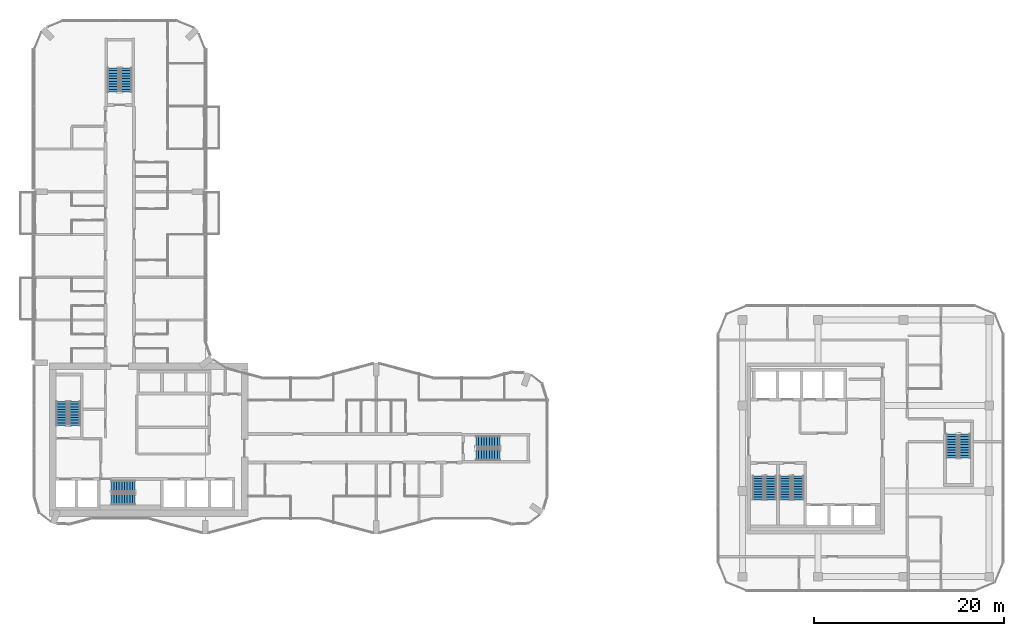
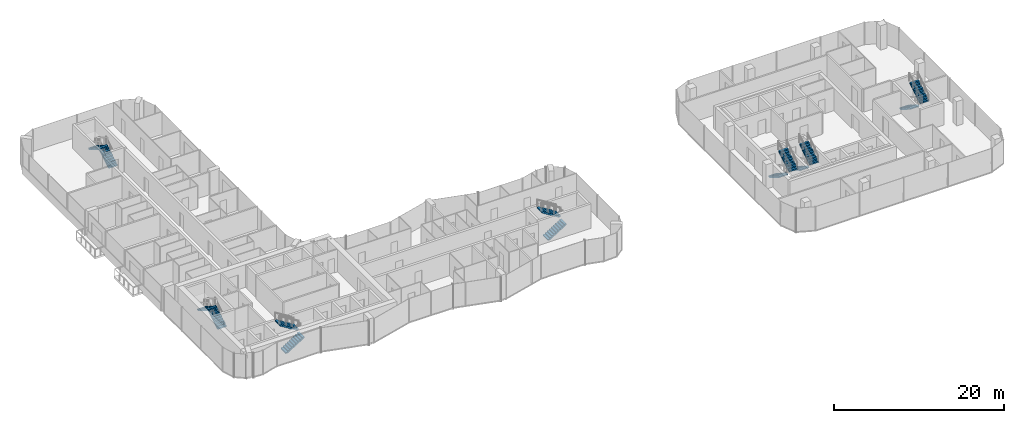
# One storey, part 20 of 23: 14 stair flights, 7 elements without a shape of their own.
"""IFC4 building model written with IfcOpenShell, lengths in metres."""

from ifc_helpers import new_model, si_unit, direction, frame, origin, place, context, subcontext, project, spatial, polyline, outline, extrude, material, type_object, element, aggregate, save


model = new_model("IFC4")

# Units and contexts
model_context = context("Model", 3, precision=1e-05, world=origin(), true_north=direction((0.0, 1.0)))
body_context = subcontext(model_context, "Body", "Model", "MODEL_VIEW")
ifc_project = project(units=[si_unit("LENGTHUNIT", "METRE"), si_unit("AREAUNIT", "SQUARE_METRE"), si_unit("VOLUMEUNIT", "CUBIC_METRE"), si_unit("PLANEANGLEUNIT", "RADIAN"), si_unit("MASSUNIT", "GRAM", prefix="KILO")], contexts=[model_context])

# Site, building, storey
site_placement = place(None, origin())
site = spatial("IfcSite", under=ifc_project, at=site_placement, CompositionType="ELEMENT")
building_placement = place(site_placement, origin())
building = spatial("IfcBuilding", under=site, at=building_placement, Name="Plateau Cross Towers", CompositionType="ELEMENT")
storey_placement = place(building_placement, frame((0.0, 0.0, 92.300048828125)))
storey = spatial("IfcBuildingStorey", under=building, at=storey_placement, Name="L23", CompositionType="ELEMENT", Elevation=92.300048828125)

# Stair, stair flights
ifc_material = material(Name="Concrete C40/50", Category="concrete")
stair_type = type_object("IfcStairType", Name="ST-TWR", PredefinedType="HALF_TURN_STAIR", material=ifc_material)
stair_1_placement = place(storey_placement, origin())
stair_1 = element("IfcStair", 1, at=stair_1_placement, inside=storey, type_object=stair_type, Name="L23 Protected Exit Stair ST-1", PredefinedType="HALF_TURN_STAIR")
stair_flight_type = type_object("IfcStairFlightType", Name="SFL-RC", PredefinedType="STRAIGHT", material=ifc_material)
stair_flight_1_placement = place(storey_placement, frame((4.25, 11.39990234375, 0.0), z_axis=(0.0, 0.0, 1.0), x_axis=(0.0, 1.0, 0.0)))
stair_flight_1 = element("IfcStairFlight", 2, at=stair_flight_1_placement, type_object=stair_flight_type, Name="ST-1 flight 1", NumberOfRisers=10, NumberOfTreads=9, PredefinedType="STRAIGHT", RiserHeight=0.175, TreadLength=0.28, context=body_context, shape_type="SweptSolid", body=[
    extrude(outline(polyline([(-0.0048828125, -0.010009765625), (-0.0048828125, 0.0), (0.0, 0.0), (0.0, 0.175048828125), (0.280029296875, 0.175048828125), (0.280029296875, 0.35009765625), (0.56005859375, 0.35009765625), (0.56005859375, 0.52490234375), (0.840087890625, 0.52490234375), (0.840087890625, 0.699951171875), (1.1201171875, 0.699951171875), (1.1201171875, 0.875), (1.39990234375, 0.875), (1.39990234375, 1.050048828125), (1.679931640625, 1.050048828125), (1.679931640625, 1.22509765625), (1.9599609375, 1.22509765625), (1.9599609375, 1.39990234375), (2.239990234375, 1.39990234375), (2.239990234375, 1.574951171875), (2.52001953125, 1.574951171875), (2.52490234375, 1.56494140625), (2.52490234375, 1.398193359375), (2.52001953125, 1.398193359375), (0.28271484375, 0.0), (0.02001953125, 0.0), (0.02001953125, -0.010009765625), (-0.0048828125, -0.010009765625)])), frame((0.0, 0.60009765625, 0.0), z_axis=(0.0, -1.0, 0.0), x_axis=(1.0, 0.0, 0.0)), (0.0, 0.0, 1.0), 1.199951171875),
])
stair_flight_2_placement = place(storey_placement, frame((2.89990234375, 13.919921875, 1.75), z_axis=(0.0, 0.0, 1.0), x_axis=(0.0, -1.0, 0.0)))
stair_flight_2 = element("IfcStairFlight", 3, at=stair_flight_2_placement, type_object=stair_flight_type, Name="ST-1 flight 2", NumberOfRisers=10, NumberOfTreads=9, PredefinedType="STRAIGHT", RiserHeight=0.175, TreadLength=0.28, context=body_context, shape_type="SweptSolid", body=[
    extrude(outline(polyline([(-0.0048828125, -0.010009765625), (-0.0048828125, 0.0), (0.0, 0.0), (0.0, 0.175048828125), (0.280029296875, 0.175048828125), (0.280029296875, 0.35009765625), (0.56005859375, 0.35009765625), (0.56005859375, 0.52490234375), (0.840087890625, 0.52490234375), (0.840087890625, 0.699951171875), (1.1201171875, 0.699951171875), (1.1201171875, 0.875), (1.39990234375, 0.875), (1.39990234375, 1.050048828125), (1.679931640625, 1.050048828125), (1.679931640625, 1.22509765625), (1.9599609375, 1.22509765625), (1.9599609375, 1.39990234375), (2.239990234375, 1.39990234375), (2.239990234375, 1.574951171875), (2.52001953125, 1.574951171875), (2.52490234375, 1.56494140625), (2.52490234375, 1.398193359375), (2.52001953125, 1.398193359375), (0.28271484375, 0.0), (0.02001953125, 0.0), (0.02001953125, -0.010009765625), (-0.0048828125, -0.010009765625)])), frame((0.0, 0.60009765625, 0.0), z_axis=(0.0, -1.0, 0.0), x_axis=(1.0, 0.0, 0.0)), (0.0, 0.0, 1.0), 1.199951171875),
])
aggregate(stair_1, [stair_flight_1, stair_flight_2])

stair_2_placement = place(storey_placement, origin())
stair_2 = element("IfcStair", 4, at=stair_2_placement, inside=storey, type_object=stair_type, Name="L23 Protected Exit Stair ST-2", PredefinedType="HALF_TURN_STAIR")
stair_flight_3_placement = place(storey_placement, frame((8.10009765625, 3.64990234375, 0.0), z_axis=(0.0, 0.0, 1.0), x_axis=(1.0, 0.0, 0.0)))
stair_flight_3 = element("IfcStairFlight", 5, at=stair_flight_3_placement, type_object=stair_flight_type, Name="ST-2 flight 1", NumberOfRisers=10, NumberOfTreads=9, PredefinedType="STRAIGHT", RiserHeight=0.175, TreadLength=0.28, context=body_context, shape_type="SweptSolid", body=[
    extrude(outline(polyline([(-0.0048828125, -0.010009765625), (-0.0048828125, 0.0), (0.0, 0.0), (0.0, 0.175048828125), (0.280029296875, 0.175048828125), (0.280029296875, 0.35009765625), (0.56005859375, 0.35009765625), (0.56005859375, 0.52490234375), (0.840087890625, 0.52490234375), (0.840087890625, 0.699951171875), (1.1201171875, 0.699951171875), (1.1201171875, 0.875), (1.39990234375, 0.875), (1.39990234375, 1.050048828125), (1.679931640625, 1.050048828125), (1.679931640625, 1.22509765625), (1.9599609375, 1.22509765625), (1.9599609375, 1.39990234375), (2.239990234375, 1.39990234375), (2.239990234375, 1.574951171875), (2.52001953125, 1.574951171875), (2.52490234375, 1.56494140625), (2.52490234375, 1.398193359375), (2.52001953125, 1.398193359375), (0.28271484375, 0.0), (0.02001953125, 0.0), (0.02001953125, -0.010009765625), (-0.0048828125, -0.010009765625)])), frame((0.0, 0.60009765625, 0.0), z_axis=(0.0, -1.0, 0.0), x_axis=(1.0, 0.0, 0.0)), (0.0, 0.0, 1.0), 1.199951171875),
])
stair_flight_4_placement = place(storey_placement, frame((10.6201171875, 5.0, 1.75), z_axis=(0.0, 0.0, 1.0), x_axis=(-1.0, 0.0, 0.0)))
stair_flight_4 = element("IfcStairFlight", 6, at=stair_flight_4_placement, type_object=stair_flight_type, Name="ST-2 flight 2", NumberOfRisers=10, NumberOfTreads=9, PredefinedType="STRAIGHT", RiserHeight=0.175, TreadLength=0.28, context=body_context, shape_type="SweptSolid", body=[
    extrude(outline(polyline([(-0.0048828125, -0.010009765625), (-0.0048828125, 0.0), (0.0, 0.0), (0.0, 0.175048828125), (0.280029296875, 0.175048828125), (0.280029296875, 0.35009765625), (0.56005859375, 0.35009765625), (0.56005859375, 0.52490234375), (0.840087890625, 0.52490234375), (0.840087890625, 0.699951171875), (1.1201171875, 0.699951171875), (1.1201171875, 0.875), (1.39990234375, 0.875), (1.39990234375, 1.050048828125), (1.679931640625, 1.050048828125), (1.679931640625, 1.22509765625), (1.9599609375, 1.22509765625), (1.9599609375, 1.39990234375), (2.239990234375, 1.39990234375), (2.239990234375, 1.574951171875), (2.52001953125, 1.574951171875), (2.52490234375, 1.56494140625), (2.52490234375, 1.398193359375), (2.52001953125, 1.398193359375), (0.28271484375, 0.0), (0.02001953125, 0.0), (0.02001953125, -0.010009765625), (-0.0048828125, -0.010009765625)])), frame((0.0, 0.60009765625, 0.0), z_axis=(0.0, -1.0, 0.0), x_axis=(1.0, 0.0, 0.0)), (0.0, 0.0, 1.0), 1.199951171875),
])
aggregate(stair_2, [stair_flight_3, stair_flight_4])

stair_3_placement = place(storey_placement, origin())
stair_3 = element("IfcStair", 7, at=stair_3_placement, inside=storey, type_object=stair_type, Name="L23 Protected Exit Stair SB-1", PredefinedType="HALF_TURN_STAIR")
stair_flight_5_placement = place(storey_placement, frame((76.199951171875, 6.10009765625, 0.0), z_axis=(0.0, 0.0, 1.0), x_axis=(0.0, -1.0, 0.0)))
stair_flight_5 = element("IfcStairFlight", 8, at=stair_flight_5_placement, type_object=stair_flight_type, Name="SB-1 flight 1", NumberOfRisers=10, NumberOfTreads=9, PredefinedType="STRAIGHT", RiserHeight=0.175, TreadLength=0.28, context=body_context, shape_type="SweptSolid", body=[
    extrude(outline(polyline([(-0.0048828125, -0.010009765625), (-0.0048828125, 0.0), (0.0, 0.0), (0.0, 0.175048828125), (0.280029296875, 0.175048828125), (0.280029296875, 0.35009765625), (0.56005859375, 0.35009765625), (0.56005859375, 0.52490234375), (0.840087890625, 0.52490234375), (0.840087890625, 0.699951171875), (1.1201171875, 0.699951171875), (1.1201171875, 0.875), (1.39990234375, 0.875), (1.39990234375, 1.050048828125), (1.679931640625, 1.050048828125), (1.679931640625, 1.22509765625), (1.9599609375, 1.22509765625), (1.9599609375, 1.39990234375), (2.239990234375, 1.39990234375), (2.239990234375, 1.574951171875), (2.52001953125, 1.574951171875), (2.52490234375, 1.56494140625), (2.52490234375, 1.398193359375), (2.52001953125, 1.398193359375), (0.28271484375, 0.0), (0.02001953125, 0.0), (0.02001953125, -0.010009765625), (-0.0048828125, -0.010009765625)])), frame((0.0, 0.60009765625, 0.0), z_axis=(0.0, -1.0, 0.0), x_axis=(1.0, 0.0, 0.0)), (0.0, 0.0, 1.0), 1.199951171875),
])
stair_flight_6_placement = place(storey_placement, frame((77.550048828125, 3.580078125, 1.75), z_axis=(0.0, 0.0, 1.0), x_axis=(0.0, 1.0, 0.0)))
stair_flight_6 = element("IfcStairFlight", 9, at=stair_flight_6_placement, type_object=stair_flight_type, Name="SB-1 flight 2", NumberOfRisers=10, NumberOfTreads=9, PredefinedType="STRAIGHT", RiserHeight=0.175, TreadLength=0.28, context=body_context, shape_type="SweptSolid", body=[
    extrude(outline(polyline([(-0.0048828125, -0.010009765625), (-0.0048828125, 0.0), (0.0, 0.0), (0.0, 0.175048828125), (0.280029296875, 0.175048828125), (0.280029296875, 0.35009765625), (0.56005859375, 0.35009765625), (0.56005859375, 0.52490234375), (0.840087890625, 0.52490234375), (0.840087890625, 0.699951171875), (1.1201171875, 0.699951171875), (1.1201171875, 0.875), (1.39990234375, 0.875), (1.39990234375, 1.050048828125), (1.679931640625, 1.050048828125), (1.679931640625, 1.22509765625), (1.9599609375, 1.22509765625), (1.9599609375, 1.39990234375), (2.239990234375, 1.39990234375), (2.239990234375, 1.574951171875), (2.52001953125, 1.574951171875), (2.52490234375, 1.56494140625), (2.52490234375, 1.398193359375), (2.52001953125, 1.398193359375), (0.28271484375, 0.0), (0.02001953125, 0.0), (0.02001953125, -0.010009765625), (-0.0048828125, -0.010009765625)])), frame((0.0, 0.60009765625, 0.0), z_axis=(0.0, -1.0, 0.0), x_axis=(1.0, 0.0, 0.0)), (0.0, 0.0, 1.0), 1.199951171875),
])
aggregate(stair_3, [stair_flight_5, stair_flight_6])

stair_4_placement = place(storey_placement, origin())
stair_4 = element("IfcStair", 10, at=stair_4_placement, inside=storey, type_object=stair_type, Name="L23 Protected Exit Stair SB-2", PredefinedType="HALF_TURN_STAIR")
stair_flight_7_placement = place(storey_placement, frame((79.050048828125, 6.10009765625, 0.0), z_axis=(0.0, 0.0, 1.0), x_axis=(0.0, -1.0, 0.0)))
stair_flight_7 = element("IfcStairFlight", 11, at=stair_flight_7_placement, type_object=stair_flight_type, Name="SB-2 flight 1", NumberOfRisers=10, NumberOfTreads=9, PredefinedType="STRAIGHT", RiserHeight=0.175, TreadLength=0.28, context=body_context, shape_type="SweptSolid", body=[
    extrude(outline(polyline([(-0.0048828125, -0.010009765625), (-0.0048828125, 0.0), (0.0, 0.0), (0.0, 0.175048828125), (0.280029296875, 0.175048828125), (0.280029296875, 0.35009765625), (0.56005859375, 0.35009765625), (0.56005859375, 0.52490234375), (0.840087890625, 0.52490234375), (0.840087890625, 0.699951171875), (1.1201171875, 0.699951171875), (1.1201171875, 0.875), (1.39990234375, 0.875), (1.39990234375, 1.050048828125), (1.679931640625, 1.050048828125), (1.679931640625, 1.22509765625), (1.9599609375, 1.22509765625), (1.9599609375, 1.39990234375), (2.239990234375, 1.39990234375), (2.239990234375, 1.574951171875), (2.52001953125, 1.574951171875), (2.52490234375, 1.56494140625), (2.52490234375, 1.398193359375), (2.52001953125, 1.398193359375), (0.28271484375, 0.0), (0.02001953125, 0.0), (0.02001953125, -0.010009765625), (-0.0048828125, -0.010009765625)])), frame((0.0, 0.60009765625, 0.0), z_axis=(0.0, -1.0, 0.0), x_axis=(1.0, 0.0, 0.0)), (0.0, 0.0, 1.0), 1.199951171875),
])
stair_flight_8_placement = place(storey_placement, frame((80.39990234375, 3.580078125, 1.75), z_axis=(0.0, 0.0, 1.0), x_axis=(0.0, 1.0, 0.0)))
stair_flight_8 = element("IfcStairFlight", 12, at=stair_flight_8_placement, type_object=stair_flight_type, Name="SB-2 flight 2", NumberOfRisers=10, NumberOfTreads=9, PredefinedType="STRAIGHT", RiserHeight=0.175, TreadLength=0.28, context=body_context, shape_type="SweptSolid", body=[
    extrude(outline(polyline([(-0.0048828125, -0.010009765625), (-0.0048828125, 0.0), (0.0, 0.0), (0.0, 0.175048828125), (0.280029296875, 0.175048828125), (0.280029296875, 0.35009765625), (0.56005859375, 0.35009765625), (0.56005859375, 0.52490234375), (0.840087890625, 0.52490234375), (0.840087890625, 0.699951171875), (1.1201171875, 0.699951171875), (1.1201171875, 0.875), (1.39990234375, 0.875), (1.39990234375, 1.050048828125), (1.679931640625, 1.050048828125), (1.679931640625, 1.22509765625), (1.9599609375, 1.22509765625), (1.9599609375, 1.39990234375), (2.239990234375, 1.39990234375), (2.239990234375, 1.574951171875), (2.52001953125, 1.574951171875), (2.52490234375, 1.56494140625), (2.52490234375, 1.398193359375), (2.52001953125, 1.398193359375), (0.28271484375, 0.0), (0.02001953125, 0.0), (0.02001953125, -0.010009765625), (-0.0048828125, -0.010009765625)])), frame((0.0, 0.60009765625, 0.0), z_axis=(0.0, -1.0, 0.0), x_axis=(1.0, 0.0, 0.0)), (0.0, 0.0, 1.0), 1.199951171875),
])
aggregate(stair_4, [stair_flight_7, stair_flight_8])

stair_5_placement = place(storey_placement, origin())
stair_5 = element("IfcStair", 13, at=stair_5_placement, inside=storey, type_object=stair_type, Name="L23 Protected Exit Stair SB-3", PredefinedType="HALF_TURN_STAIR")
stair_flight_9_placement = place(storey_placement, frame((96.60009765625, 10.5, 0.0), z_axis=(0.0, 0.0, 1.0), x_axis=(0.0, -1.0, 0.0)))
stair_flight_9 = element("IfcStairFlight", 14, at=stair_flight_9_placement, type_object=stair_flight_type, Name="SB-3 flight 1", NumberOfRisers=10, NumberOfTreads=9, PredefinedType="STRAIGHT", RiserHeight=0.175, TreadLength=0.28, context=body_context, shape_type="SweptSolid", body=[
    extrude(outline(polyline([(-0.0048828125, -0.010009765625), (-0.0048828125, 0.0), (0.0, 0.0), (0.0, 0.175048828125), (0.280029296875, 0.175048828125), (0.280029296875, 0.35009765625), (0.56005859375, 0.35009765625), (0.56005859375, 0.52490234375), (0.840087890625, 0.52490234375), (0.840087890625, 0.699951171875), (1.1201171875, 0.699951171875), (1.1201171875, 0.875), (1.39990234375, 0.875), (1.39990234375, 1.050048828125), (1.679931640625, 1.050048828125), (1.679931640625, 1.22509765625), (1.9599609375, 1.22509765625), (1.9599609375, 1.39990234375), (2.239990234375, 1.39990234375), (2.239990234375, 1.574951171875), (2.52001953125, 1.574951171875), (2.52490234375, 1.56494140625), (2.52490234375, 1.398193359375), (2.52001953125, 1.398193359375), (0.28271484375, 0.0), (0.02001953125, 0.0), (0.02001953125, -0.010009765625), (-0.0048828125, -0.010009765625)])), frame((0.0, 0.60009765625, 0.0), z_axis=(0.0, -1.0, 0.0), x_axis=(1.0, 0.0, 0.0)), (0.0, 0.0, 1.0), 1.199951171875),
])
stair_flight_10_placement = place(storey_placement, frame((97.949951171875, 7.97998046875, 1.75), z_axis=(0.0, 0.0, 1.0), x_axis=(0.0, 1.0, 0.0)))
stair_flight_10 = element("IfcStairFlight", 15, at=stair_flight_10_placement, type_object=stair_flight_type, Name="SB-3 flight 2", NumberOfRisers=10, NumberOfTreads=9, PredefinedType="STRAIGHT", RiserHeight=0.175, TreadLength=0.28, context=body_context, shape_type="SweptSolid", body=[
    extrude(outline(polyline([(-0.0048828125, -0.010009765625), (-0.0048828125, 0.0), (0.0, 0.0), (0.0, 0.175048828125), (0.280029296875, 0.175048828125), (0.280029296875, 0.35009765625), (0.56005859375, 0.35009765625), (0.56005859375, 0.52490234375), (0.840087890625, 0.52490234375), (0.840087890625, 0.699951171875), (1.1201171875, 0.699951171875), (1.1201171875, 0.875), (1.39990234375, 0.875), (1.39990234375, 1.050048828125), (1.679931640625, 1.050048828125), (1.679931640625, 1.22509765625), (1.9599609375, 1.22509765625), (1.9599609375, 1.39990234375), (2.239990234375, 1.39990234375), (2.239990234375, 1.574951171875), (2.52001953125, 1.574951171875), (2.52490234375, 1.56494140625), (2.52490234375, 1.398193359375), (2.52001953125, 1.398193359375), (0.28271484375, 0.0), (0.02001953125, 0.0), (0.02001953125, -0.010009765625), (-0.0048828125, -0.010009765625)])), frame((0.0, 0.60009765625, 0.0), z_axis=(0.0, -1.0, 0.0), x_axis=(1.0, 0.0, 0.0)), (0.0, 0.0, 1.0), 1.199951171875),
])
aggregate(stair_5, [stair_flight_9, stair_flight_10])

stair_6_placement = place(storey_placement, origin())
stair_6 = element("IfcStair", 16, at=stair_6_placement, inside=storey, type_object=stair_type, Name="L23 Protected Exit Stair E", PredefinedType="HALF_TURN_STAIR")
stair_flight_11_placement = place(storey_placement, frame((46.5, 8.324951171875, 0.0), z_axis=(0.0, 0.0, 1.0), x_axis=(1.0, 0.0, 0.0)))
stair_flight_11 = element("IfcStairFlight", 17, at=stair_flight_11_placement, type_object=stair_flight_type, Name="ES-E flight 1", NumberOfRisers=10, NumberOfTreads=9, PredefinedType="STRAIGHT", RiserHeight=0.175, TreadLength=0.28, context=body_context, shape_type="SweptSolid", body=[
    extrude(outline(polyline([(-0.0048828125, -0.010009765625), (-0.0048828125, 0.0), (0.0, 0.0), (0.0, 0.175048828125), (0.280029296875, 0.175048828125), (0.280029296875, 0.35009765625), (0.56005859375, 0.35009765625), (0.56005859375, 0.52490234375), (0.840087890625, 0.52490234375), (0.840087890625, 0.699951171875), (1.1201171875, 0.699951171875), (1.1201171875, 0.875), (1.39990234375, 0.875), (1.39990234375, 1.050048828125), (1.679931640625, 1.050048828125), (1.679931640625, 1.22509765625), (1.9599609375, 1.22509765625), (1.9599609375, 1.39990234375), (2.239990234375, 1.39990234375), (2.239990234375, 1.574951171875), (2.52001953125, 1.574951171875), (2.52490234375, 1.56494140625), (2.52490234375, 1.398193359375), (2.52001953125, 1.398193359375), (0.28271484375, 0.0), (0.02001953125, 0.0), (0.02001953125, -0.010009765625), (-0.0048828125, -0.010009765625)])), frame((0.0, 0.60009765625, 0.0), z_axis=(0.0, -1.0, 0.0), x_axis=(1.0, 0.0, 0.0)), (0.0, 0.0, 1.0), 1.199951171875),
])
stair_flight_12_placement = place(storey_placement, frame((49.02001953125, 9.675048828125, 1.75), z_axis=(0.0, 0.0, 1.0), x_axis=(-1.0, 0.0, 0.0)))
stair_flight_12 = element("IfcStairFlight", 18, at=stair_flight_12_placement, type_object=stair_flight_type, Name="ES-E flight 2", NumberOfRisers=10, NumberOfTreads=9, PredefinedType="STRAIGHT", RiserHeight=0.175, TreadLength=0.28, context=body_context, shape_type="SweptSolid", body=[
    extrude(outline(polyline([(-0.0048828125, -0.010009765625), (-0.0048828125, 0.0), (0.0, 0.0), (0.0, 0.175048828125), (0.280029296875, 0.175048828125), (0.280029296875, 0.35009765625), (0.56005859375, 0.35009765625), (0.56005859375, 0.52490234375), (0.840087890625, 0.52490234375), (0.840087890625, 0.699951171875), (1.1201171875, 0.699951171875), (1.1201171875, 0.875), (1.39990234375, 0.875), (1.39990234375, 1.050048828125), (1.679931640625, 1.050048828125), (1.679931640625, 1.22509765625), (1.9599609375, 1.22509765625), (1.9599609375, 1.39990234375), (2.239990234375, 1.39990234375), (2.239990234375, 1.574951171875), (2.52001953125, 1.574951171875), (2.52490234375, 1.56494140625), (2.52490234375, 1.398193359375), (2.52001953125, 1.398193359375), (0.28271484375, 0.0), (0.02001953125, 0.0), (0.02001953125, -0.010009765625), (-0.0048828125, -0.010009765625)])), frame((0.0, 0.60009765625, 0.0), z_axis=(0.0, -1.0, 0.0), x_axis=(1.0, 0.0, 0.0)), (0.0, 0.0, 1.0), 1.199951171875),
])
aggregate(stair_6, [stair_flight_11, stair_flight_12])

stair_7_placement = place(storey_placement, origin())
stair_7 = element("IfcStair", 19, at=stair_7_placement, inside=storey, type_object=stair_type, Name="L23 Protected Exit Stair N", PredefinedType="HALF_TURN_STAIR")
stair_flight_13_placement = place(storey_placement, frame((9.675048828125, 46.5, 0.0), z_axis=(0.0, 0.0, 1.0), x_axis=(0.0, 1.0, 0.0)))
stair_flight_13 = element("IfcStairFlight", 20, at=stair_flight_13_placement, type_object=stair_flight_type, Name="ES-N flight 1", NumberOfRisers=10, NumberOfTreads=9, PredefinedType="STRAIGHT", RiserHeight=0.175, TreadLength=0.28, context=body_context, shape_type="SweptSolid", body=[
    extrude(outline(polyline([(-0.0048828125, -0.010009765625), (-0.0048828125, 0.0), (0.0, 0.0), (0.0, 0.175048828125), (0.280029296875, 0.175048828125), (0.280029296875, 0.35009765625), (0.56005859375, 0.35009765625), (0.56005859375, 0.52490234375), (0.840087890625, 0.52490234375), (0.840087890625, 0.699951171875), (1.1201171875, 0.699951171875), (1.1201171875, 0.875), (1.39990234375, 0.875), (1.39990234375, 1.050048828125), (1.679931640625, 1.050048828125), (1.679931640625, 1.22509765625), (1.9599609375, 1.22509765625), (1.9599609375, 1.39990234375), (2.239990234375, 1.39990234375), (2.239990234375, 1.574951171875), (2.52001953125, 1.574951171875), (2.52490234375, 1.56494140625), (2.52490234375, 1.398193359375), (2.52001953125, 1.398193359375), (0.28271484375, 0.0), (0.02001953125, 0.0), (0.02001953125, -0.010009765625), (-0.0048828125, -0.010009765625)])), frame((0.0, 0.60009765625, 0.0), z_axis=(0.0, -1.0, 0.0), x_axis=(1.0, 0.0, 0.0)), (0.0, 0.0, 1.0), 1.199951171875),
])
stair_flight_14_placement = place(storey_placement, frame((8.324951171875, 49.02001953125, 1.75), z_axis=(0.0, 0.0, 1.0), x_axis=(0.0, -1.0, 0.0)))
stair_flight_14 = element("IfcStairFlight", 21, at=stair_flight_14_placement, type_object=stair_flight_type, Name="ES-N flight 2", NumberOfRisers=10, NumberOfTreads=9, PredefinedType="STRAIGHT", RiserHeight=0.175, TreadLength=0.28, context=body_context, shape_type="SweptSolid", body=[
    extrude(outline(polyline([(-0.0048828125, -0.010009765625), (-0.0048828125, 0.0), (0.0, 0.0), (0.0, 0.175048828125), (0.280029296875, 0.175048828125), (0.280029296875, 0.35009765625), (0.56005859375, 0.35009765625), (0.56005859375, 0.52490234375), (0.840087890625, 0.52490234375), (0.840087890625, 0.699951171875), (1.1201171875, 0.699951171875), (1.1201171875, 0.875), (1.39990234375, 0.875), (1.39990234375, 1.050048828125), (1.679931640625, 1.050048828125), (1.679931640625, 1.22509765625), (1.9599609375, 1.22509765625), (1.9599609375, 1.39990234375), (2.239990234375, 1.39990234375), (2.239990234375, 1.574951171875), (2.52001953125, 1.574951171875), (2.52490234375, 1.56494140625), (2.52490234375, 1.398193359375), (2.52001953125, 1.398193359375), (0.28271484375, 0.0), (0.02001953125, 0.0), (0.02001953125, -0.010009765625), (-0.0048828125, -0.010009765625)])), frame((0.0, 0.60009765625, 0.0), z_axis=(0.0, -1.0, 0.0), x_axis=(1.0, 0.0, 0.0)), (0.0, 0.0, 1.0), 1.199951171875),
])
aggregate(stair_7, [stair_flight_13, stair_flight_14])

save(model, "model.ifc")
